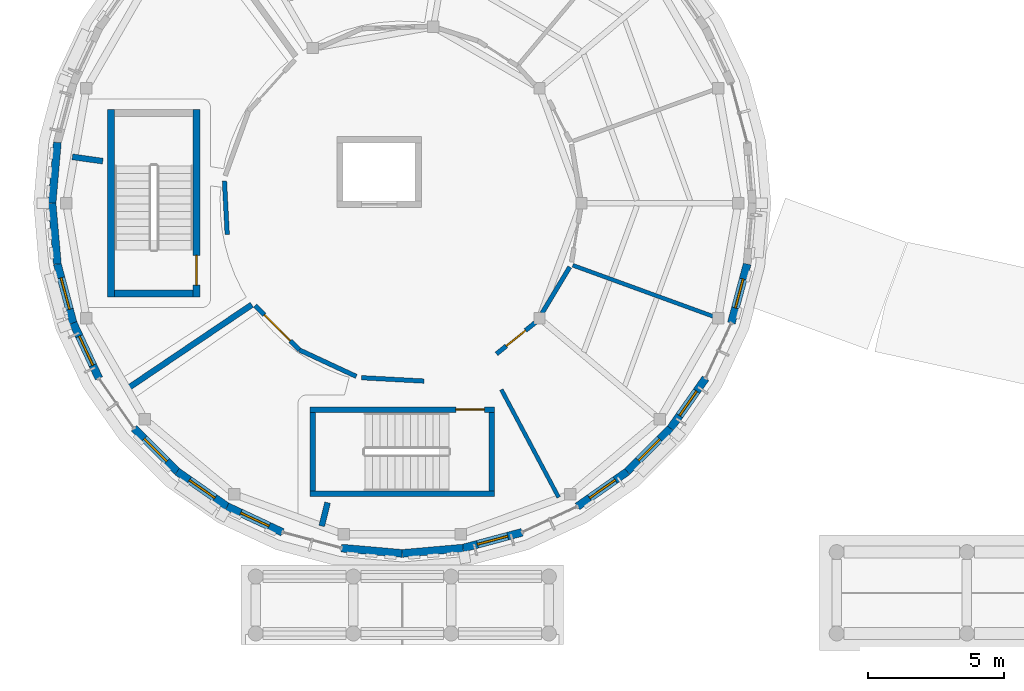
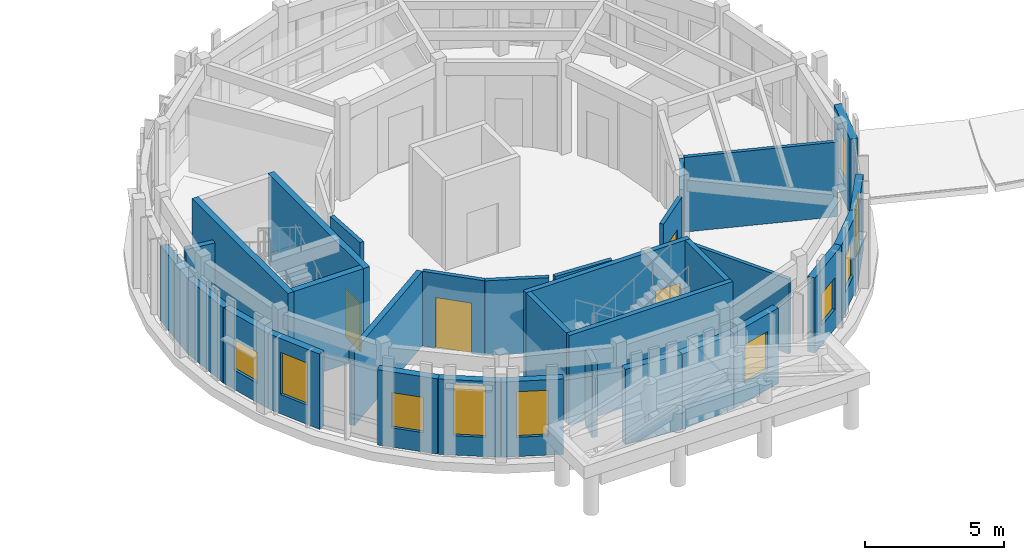
# One storey, part 43 of 80: 32 walls, 10 windows, 4 doors, 14 openings.
"""IFC4 building model written with IfcOpenShell, lengths in metres."""

from ifc_helpers import new_model, si_unit, direction, frame, frame_2d, origin, place, context, subcontext, project, spatial, rectangle, extrude, material, layer, layer_set, type_object, element, fill, save


model = new_model("IFC4")

# Units and contexts
model_context = context("Model", 3, precision=1e-05, world=origin(), true_north=direction((0.0, 1.0)))
body_context = subcontext(model_context, "Body", "Model", "MODEL_VIEW")
ifc_project = project(units=[si_unit("LENGTHUNIT", "METRE"), si_unit("AREAUNIT", "SQUARE_METRE"), si_unit("VOLUMEUNIT", "CUBIC_METRE"), si_unit("PLANEANGLEUNIT", "RADIAN"), si_unit("MASSUNIT", "GRAM", prefix="KILO")], contexts=[model_context])

# Site, building, storey
site_placement = place(None, origin())
site = spatial("IfcSite", under=ifc_project, at=site_placement, CompositionType="ELEMENT")
building_placement = place(site_placement, origin())
building = spatial("IfcBuilding", under=site, at=building_placement, Name="Aldenvaro Health Centre", CompositionType="ELEMENT")
storey_placement = place(building_placement, frame((0.0, 0.0, 4.550048828125)))
storey = spatial("IfcBuildingStorey", under=building, at=storey_placement, Name="L01", CompositionType="ELEMENT", Elevation=4.550048828125)

# Walls
ifc_material_1 = material(Name="Gypsum Stud Acoustic Assembly")
ifc_layer_1 = layer(ifc_material_1, 0.14501953125, Name="Gypsum Stud Acoustic Assembly")
ifc_layer_set_1 = layer_set([ifc_layer_1], Name="Gypsum Stud Acoustic Assembly")
wall_type_1 = type_object("IfcWallType", Name="WL-CLN-145", PredefinedType="PARTITIONING", material=ifc_layer_set_1)
wall_1_placement = place(storey_placement, frame((22.14990234375, 11.635009765625, 0.0), z_axis=(0.0, 0.0, 1.0), x_axis=(0.469519274504, -0.882922222435, 0.0)))
element("IfcWall", 1, at=wall_1_placement, inside=storey, type_object=wall_type_1, Name="D5 L01 clinical partition 6.1", PredefinedType="PARTITIONING", context=body_context, shape_type="SweptSolid", body=[
    extrude(rectangle(XDim=4.494140625, YDim=0.14501953125, at=frame_2d((2.2470703125, 0.0))), origin(), (0.0, 0.0, 1.0), 3.283935546875),
])
wall_2_placement = place(storey_placement, frame((24.780029296875, 16.214111328125, 0.0), z_axis=(0.0, 0.0, 1.0), x_axis=(0.939718505705, -0.341949016719, 0.0)))
element("IfcWall", 2, at=wall_2_placement, inside=storey, type_object=wall_type_1, Name="D5 L01 clinical partition 7.1", PredefinedType="PARTITIONING", context=body_context, shape_type="SweptSolid", body=[
    extrude(rectangle(XDim=5.615478515625, YDim=0.14501953125, at=frame_2d((2.8076171875, 0.0))), origin(), (0.0, 0.0, 1.0), 3.283935546875),
])
ifc_layer_2 = layer(ifc_material_1, 0.1650390625, Name="Gypsum Stud Acoustic Assembly")
ifc_layer_set_2 = layer_set([ifc_layer_2], Name="Gypsum Stud Acoustic Assembly")
wall_type_2 = type_object("IfcWallType", Name="WL-COR-165", PredefinedType="PARTITIONING", material=ifc_layer_set_2)
wall_3_placement = place(storey_placement, frame((11.950927734375, 19.321044921875, 0.0), z_axis=(0.0, 0.0, 1.0), x_axis=(0.051214751973, -0.998687663477, 0.0)))
element("IfcWall", 3, at=wall_3_placement, inside=storey, type_object=wall_type_2, Name="D5 L01 corridor wall 03.1", PredefinedType="PARTITIONING", context=body_context, shape_type="SweptSolid", body=[
    extrude(rectangle(XDim=1.9736328125, YDim=0.1650390625, at=frame_2d((0.98681640625, 0.0))), origin(), (0.0, 0.0, 1.0), 3.283935546875),
])

# Wall, opening, door
wall_4_placement = place(storey_placement, frame((13.083984375, 14.72900390625, 0.0), z_axis=(0.0, 0.0, 1.0), x_axis=(0.70604855671, -0.708163424336, 0.0)))
wall_4 = element("IfcWall", 4, at=wall_4_placement, inside=storey, type_object=wall_type_2, Name="D5 L01 corridor wall 04.1", PredefinedType="PARTITIONING", context=body_context, shape_type="SweptSolid", body=[
    extrude(rectangle(XDim=2.308837890625, YDim=0.1650390625, at=frame_2d((1.154296875, 0.0))), origin(), (0.0, 0.0, 1.0), 3.283935546875),
])
opening_1_placement = place(wall_4_placement, frame((0.47998046875, 0.0, 0.0)))
opening_1 = element("IfcOpeningElement", 5, at=opening_1_placement, cuts=wall_4, Name="Opening XD-02", PredefinedType="OPENING", context=body_context, shape_type="SweptSolid", body=[
    extrude(rectangle(XDim=1.35009765625, YDim=2.219970703125, at=frame_2d((0.675048828125, 1.10986328125))), frame((0.0, 0.092529296875, 0.0), z_axis=(0.0, -1.0, 0.0), x_axis=(1.0, 0.0, 0.0)), (0.0, 0.0, 1.0), 0.18505859375),
])
ifc_material_2 = material(Name="RF-Shielded MRI Suite Door")
door_type_1 = type_object("IfcDoorType", Name="DR-IMG-135", OperationType="NOTDEFINED", PredefinedType="DOOR", material=ifc_material_2)
door_1_placement = place(opening_1_placement, origin())
door_1 = element("IfcDoor", 6, at=door_1_placement, inside=storey, type_object=door_type_1, Name="Diagnostic Ultrasound Room 02 Door", OperationType="SINGLE_SWING_LEFT", OverallHeight=2.219970703125, OverallWidth=1.35009765625, PredefinedType="DOOR", context=body_context, shape_type="SweptSolid", body=[
    extrude(rectangle(XDim=1.35009765625, YDim=2.219970703125, at=frame_2d((0.675048828125, 1.10986328125))), frame((0.0, 0.02490234375, 0.0), z_axis=(0.0, -1.0, 0.0), x_axis=(1.0, 0.0, 0.0)), (0.0, 0.0, 1.0), 0.050048828125),
])
fill(opening_1, door_1)

# Walls
for number, where, z_axis, x_axis, name in (
    (7, (14.714111328125, 13.093994140625, 0.0), (0.0, 0.0, 1.0), (0.906733333108, -0.421704473099, 0.0), "D5 L01 corridor wall 04.2"),
    (8, (16.998046875, 12.072998046875, 0.0), (0.0, 0.0, 1.0), (0.998556713681, -0.053707444209, 0.0), "D5 L01 corridor wall 05.1"),
):
    element("IfcWall", number, at=place(storey_placement, frame(where, z_axis=z_axis, x_axis=x_axis)), inside=storey, type_object=wall_type_2, Name=name, PredefinedType="PARTITIONING", context=body_context, shape_type="SweptSolid", body=[
        extrude(rectangle(XDim=2.309326171875, YDim=0.1650390625, at=frame_2d((1.15478515625, 0.0))), origin(), (0.0, 0.0, 1.0), 3.283935546875),
    ])

# Wall, opening, door
wall_5_placement = place(storey_placement, frame((21.969970703125, 12.949951171875, 0.0), z_axis=(0.0, 0.0, 1.0), x_axis=(0.778080714505, 0.62816431108, 0.0)))
wall_5 = element("IfcWall", 9, at=wall_5_placement, inside=storey, type_object=wall_type_2, Name="D5 L01 corridor wall 06.1", PredefinedType="PARTITIONING", context=body_context, shape_type="SweptSolid", body=[
    extrude(rectangle(XDim=1.841796875, YDim=0.1650390625, at=frame_2d((0.9208984375, 0.0))), origin(), (0.0, 0.0, 1.0), 3.283935546875),
])
opening_2_placement = place(wall_5_placement, frame((0.466064453125, 0.0, 0.0)))
opening_2 = element("IfcOpeningElement", 10, at=opening_2_placement, cuts=wall_5, Name="Opening D-15", PredefinedType="OPENING", context=body_context, shape_type="SweptSolid", body=[
    extrude(rectangle(XDim=0.909912109375, YDim=2.14990234375, at=frame_2d((0.455078125, 1.074951171875))), frame((0.0, 0.092529296875, 0.0), z_axis=(0.0, -1.0, 0.0), x_axis=(1.0, 0.0, 0.0)), (0.0, 0.0, 1.0), 0.18505859375),
])
ifc_material_3 = material(Name="Exam Suite Timber Door", Category="wood")
door_type_2 = type_object("IfcDoorType", Name="DR-CLN-15", OperationType="NOTDEFINED", PredefinedType="DOOR", material=ifc_material_3)
door_2_placement = place(opening_2_placement, origin())
door_2 = element("IfcDoor", 11, at=door_2_placement, inside=storey, type_object=door_type_2, Name="Breast Health Consulting Room Door", OperationType="SINGLE_SWING_RIGHT", OverallHeight=2.14990234375, OverallWidth=0.909912109375, PredefinedType="DOOR", context=body_context, shape_type="SweptSolid", body=[
    extrude(rectangle(XDim=0.909912109375, YDim=2.14990234375, at=frame_2d((0.455078125, 1.074951171875))), frame((0.0, 0.02490234375, 0.0), z_axis=(0.0, -1.0, 0.0), x_axis=(1.0, 0.0, 0.0)), (0.0, 0.0, 1.0), 0.050048828125),
])
fill(opening_2, door_2)

# Wall
wall_6_placement = place(storey_placement, frame((23.64990234375, 14.450927734375, 0.0), z_axis=(0.0, 0.0, 1.0), x_axis=(0.513788930693, 0.85791662456, 0.0)))
element("IfcWall", 12, at=wall_6_placement, inside=storey, type_object=wall_type_2, Name="D5 L01 corridor wall 06.2", PredefinedType="PARTITIONING", context=body_context, shape_type="SweptSolid", body=[
    extrude(rectangle(XDim=1.9814453125, YDim=0.1650390625, at=frame_2d((0.99072265625, 0.0))), origin(), (0.0, 0.0, 1.0), 3.283935546875),
])

# Wall, opening, window
ifc_material_4 = material(Name="Cross-laminated timber CLT E1", Category="wood")
ifc_layer_3 = layer(ifc_material_4, 0.2900390625, Name="Cross-laminated timber CLT E1", Category="wood")
ifc_layer_set_3 = layer_set([ifc_layer_3], Name="Cross-laminated timber CLT E1")
wall_type_3 = type_object("IfcWallType", Name="WL-EXT-290", PredefinedType="ELEMENTEDWALL", material=ifc_layer_set_3)
wall_7_placement = place(storey_placement, frame((31.2041015625, 16.260009765625, 0.0), z_axis=(0.0, 0.0, 1.0), x_axis=(-0.258824721145, -0.96592430538, 0.0)))
wall_7 = element("IfcWall", 13, at=wall_7_placement, inside=storey, type_object=wall_type_3, Name="D5 L01 exterior wall 02", PredefinedType="ELEMENTEDWALL", context=body_context, shape_type="SweptSolid", body=[
    extrude(rectangle(XDim=2.248779296875, YDim=0.2900390625, at=frame_2d((1.12451171875, 0.0))), origin(), (0.0, 0.0, 1.0), 3.308837890625),
])
opening_3_placement = place(wall_7_placement, frame((0.573974609375, 0.0, 0.85009765625)))
opening_3 = element("IfcOpeningElement", 14, at=opening_3_placement, cuts=wall_7, Name="Opening W-27", PredefinedType="OPENING", context=body_context, shape_type="SweptSolid", body=[
    extrude(rectangle(XDim=1.10009765625, YDim=1.85009765625, at=frame_2d((0.550048828125, 0.925048828125))), frame((0.0, 0.155029296875, 0.0), z_axis=(0.0, -1.0, 0.0), x_axis=(1.0, 0.0, 0.0)), (0.0, 0.0, 1.0), 0.31005859375),
])
ifc_material_5 = material(Name="Thermally Broken Aluminium Low-E Glass", Category="aluminium")
window_type_1 = type_object("IfcWindowType", Name="WN-EXT-27", PartitioningType="SINGLE_PANEL", PredefinedType="WINDOW", material=ifc_material_5)
window_1_placement = place(opening_3_placement, origin())
window_1 = element("IfcWindow", 15, at=window_1_placement, inside=storey, type_object=window_type_1, Name="D5 L01 clinical window 02", OverallHeight=1.85009765625, OverallWidth=1.10009765625, PartitioningType="SINGLE_PANEL", PredefinedType="WINDOW", context=body_context, shape_type="SweptSolid", body=[
    extrude(rectangle(XDim=1.10009765625, YDim=1.85009765625, at=frame_2d((0.550048828125, 0.925048828125))), frame((0.0, 0.030029296875, 0.0), z_axis=(0.0, -1.0, 0.0), x_axis=(1.0, 0.0, 0.0)), (0.0, 0.0, 1.0), 0.06005859375),
])
fill(opening_3, window_1)

wall_8_placement = place(storey_placement, frame((29.672119140625, 12.050048828125, 0.0), z_axis=(0.0, 0.0, 1.0), x_axis=(-0.573644482107, -0.819104393925, 0.0)))
wall_8 = element("IfcWall", 16, at=wall_8_placement, inside=storey, type_object=wall_type_3, Name="D5 L01 exterior wall 04", PredefinedType="ELEMENTEDWALL", context=body_context, shape_type="SweptSolid", body=[
    extrude(rectangle(XDim=2.248779296875, YDim=0.2900390625, at=frame_2d((1.12451171875, 0.0))), origin(), (0.0, 0.0, 1.0), 3.308837890625),
])
opening_4_placement = place(wall_8_placement, frame((0.573974609375, 0.0, 0.85009765625)))
opening_4 = element("IfcOpeningElement", 17, at=opening_4_placement, cuts=wall_8, Name="Opening W-28", PredefinedType="OPENING", context=body_context, shape_type="SweptSolid", body=[
    extrude(rectangle(XDim=1.10009765625, YDim=2.10009765625, at=frame_2d((0.550048828125, 1.050048828125))), frame((0.0, 0.155029296875, 0.0), z_axis=(0.0, -1.0, 0.0), x_axis=(1.0, 0.0, 0.0)), (0.0, 0.0, 1.0), 0.31005859375),
])
window_type_2 = type_object("IfcWindowType", Name="WN-EXT-28", PartitioningType="SINGLE_PANEL", PredefinedType="WINDOW", material=ifc_material_5)
window_2_placement = place(opening_4_placement, origin())
window_2 = element("IfcWindow", 18, at=window_2_placement, inside=storey, type_object=window_type_2, Name="D5 L01 clinical window 04", OverallHeight=2.10009765625, OverallWidth=1.10009765625, PartitioningType="SINGLE_PANEL", PredefinedType="WINDOW", context=body_context, shape_type="SweptSolid", body=[
    extrude(rectangle(XDim=1.10009765625, YDim=2.10009765625, at=frame_2d((0.550048828125, 1.050048828125))), frame((0.0, 0.030029296875, 0.0), z_axis=(0.0, -1.0, 0.0), x_axis=(1.0, 0.0, 0.0)), (0.0, 0.0, 1.0), 0.06005859375),
])
fill(opening_4, window_2)

wall_9_placement = place(storey_placement, frame((28.382080078125, 10.2080078125, 0.0), z_axis=(0.0, 0.0, 1.0), x_axis=(-0.707106781187, -0.707106781187, 0.0)))
wall_9 = element("IfcWall", 19, at=wall_9_placement, inside=storey, type_object=wall_type_3, Name="D5 L01 exterior wall 05", PredefinedType="ELEMENTEDWALL", context=body_context, shape_type="SweptSolid", body=[
    extrude(rectangle(XDim=2.248779296875, YDim=0.2900390625, at=frame_2d((1.12451171875, 0.0))), origin(), (0.0, 0.0, 1.0), 3.308837890625),
])
opening_5_placement = place(wall_9_placement, frame((0.56396484375, 0.0, 0.85009765625)))
opening_5 = element("IfcOpeningElement", 20, at=opening_5_placement, cuts=wall_9, Name="Opening W-29", PredefinedType="OPENING", context=body_context, shape_type="SweptSolid", body=[
    extrude(rectangle(XDim=1.1201171875, YDim=1.64990234375, at=frame_2d((0.56005859375, 0.824951171875))), frame((0.0, 0.155029296875, 0.0), z_axis=(0.0, -1.0, 0.0), x_axis=(1.0, 0.0, 0.0)), (0.0, 0.0, 1.0), 0.31005859375),
])
window_type_3 = type_object("IfcWindowType", Name="WN-EXT-29", PartitioningType="SINGLE_PANEL", PredefinedType="WINDOW", material=ifc_material_5)
window_3_placement = place(opening_5_placement, origin())
window_3 = element("IfcWindow", 21, at=window_3_placement, inside=storey, type_object=window_type_3, Name="D5 L01 clinical window 05", OverallHeight=1.64990234375, OverallWidth=1.1201171875, PartitioningType="SINGLE_PANEL", PredefinedType="WINDOW", context=body_context, shape_type="SweptSolid", body=[
    extrude(rectangle(XDim=1.1201171875, YDim=1.64990234375, at=frame_2d((0.56005859375, 0.824951171875))), frame((0.0, 0.030029296875, 0.0), z_axis=(0.0, -1.0, 0.0), x_axis=(1.0, 0.0, 0.0)), (0.0, 0.0, 1.0), 0.06005859375),
])
fill(opening_5, window_3)

wall_10_placement = place(storey_placement, frame((26.7919921875, 8.617919921875, 0.0), z_axis=(0.0, 0.0, 1.0), x_axis=(-0.819104393925, -0.573644482107, 0.0)))
wall_10 = element("IfcWall", 22, at=wall_10_placement, inside=storey, type_object=wall_type_3, Name="D5 L01 exterior wall 06", PredefinedType="ELEMENTEDWALL", context=body_context, shape_type="SweptSolid", body=[
    extrude(rectangle(XDim=2.248779296875, YDim=0.2900390625, at=frame_2d((1.12451171875, 0.0))), origin(), (0.0, 0.0, 1.0), 3.308837890625),
])
opening_6_placement = place(wall_10_placement, frame((0.549072265625, 0.0, 0.85009765625)))
opening_6 = element("IfcOpeningElement", 23, at=opening_6_placement, cuts=wall_10, Name="Opening W-30", PredefinedType="OPENING", context=body_context, shape_type="SweptSolid", body=[
    extrude(rectangle(XDim=1.14990234375, YDim=1.39990234375, at=frame_2d((0.574951171875, 0.699951171875))), frame((0.0, 0.155029296875, 0.0), z_axis=(0.0, -1.0, 0.0), x_axis=(1.0, 0.0, 0.0)), (0.0, 0.0, 1.0), 0.31005859375),
])
window_type_4 = type_object("IfcWindowType", Name="WN-EXT-30", PartitioningType="SINGLE_PANEL", PredefinedType="WINDOW", material=ifc_material_5)
window_4_placement = place(opening_6_placement, origin())
window_4 = element("IfcWindow", 24, at=window_4_placement, inside=storey, type_object=window_type_4, Name="D5 L01 clinical window 06", OverallHeight=1.39990234375, OverallWidth=1.14990234375, PartitioningType="SINGLE_PANEL", PredefinedType="WINDOW", context=body_context, shape_type="SweptSolid", body=[
    extrude(rectangle(XDim=1.14990234375, YDim=1.39990234375, at=frame_2d((0.574951171875, 0.699951171875))), frame((0.0, 0.030029296875, 0.0), z_axis=(0.0, -1.0, 0.0), x_axis=(1.0, 0.0, 0.0)), (0.0, 0.0, 1.0), 0.06005859375),
])
fill(opening_6, window_4)

wall_11_placement = place(storey_placement, frame((22.912109375, 6.3779296875, 0.0), z_axis=(0.0, 0.0, 1.0), x_axis=(-0.96592430538, -0.258824721145, 0.0)))
wall_11 = element("IfcWall", 25, at=wall_11_placement, inside=storey, type_object=wall_type_3, Name="D5 L01 exterior wall 08", PredefinedType="ELEMENTEDWALL", context=body_context, shape_type="SweptSolid", body=[
    extrude(rectangle(XDim=2.248779296875, YDim=0.2900390625, at=frame_2d((1.12451171875, 0.0))), origin(), (0.0, 0.0, 1.0), 3.308837890625),
])
opening_7_placement = place(wall_11_placement, frame((0.549072265625, 0.0, 0.85009765625)))
opening_7 = element("IfcOpeningElement", 26, at=opening_7_placement, cuts=wall_11, Name="Opening W-31", PredefinedType="OPENING", context=body_context, shape_type="SweptSolid", body=[
    extrude(rectangle(XDim=1.14990234375, YDim=1.699951171875, at=frame_2d((0.574951171875, 0.85009765625))), frame((0.0, 0.155029296875, 0.0), z_axis=(0.0, -1.0, 0.0), x_axis=(1.0, 0.0, 0.0)), (0.0, 0.0, 1.0), 0.31005859375),
])
window_type_5 = type_object("IfcWindowType", Name="WN-EXT-31", PartitioningType="SINGLE_PANEL", PredefinedType="WINDOW", material=ifc_material_5)
window_5_placement = place(opening_7_placement, origin())
window_5 = element("IfcWindow", 27, at=window_5_placement, inside=storey, type_object=window_type_5, Name="D5 L01 clinical window 08", OverallHeight=1.699951171875, OverallWidth=1.14990234375, PartitioningType="SINGLE_PANEL", PredefinedType="WINDOW", context=body_context, shape_type="SweptSolid", body=[
    extrude(rectangle(XDim=1.14990234375, YDim=1.699951171875, at=frame_2d((0.574951171875, 0.85009765625))), frame((0.0, 0.030029296875, 0.0), z_axis=(0.0, -1.0, 0.0), x_axis=(1.0, 0.0, 0.0)), (0.0, 0.0, 1.0), 0.06005859375),
])
fill(opening_7, window_5)

# Walls
for number, where, z_axis, x_axis, name in (
    (28, (20.739990234375, 5.7958984375, 0.0), (0.0, 0.0, 1.0), (-0.996201374201, -0.087079400775, 0.0), "D5 L01 exterior wall 09"),
    (29, (18.5, 5.60009765625, 0.0), (0.0, 0.0, 1.0), (-0.996201374201, 0.087079400775, 0.0), "D5 L01 exterior wall 10"),
):
    element("IfcWall", number, at=place(storey_placement, frame(where, z_axis=z_axis, x_axis=x_axis)), inside=storey, type_object=wall_type_3, Name=name, PredefinedType="ELEMENTEDWALL", context=body_context, shape_type="SweptSolid", body=[
        extrude(rectangle(XDim=2.24853515625, YDim=0.2900390625, at=frame_2d((1.124267578125, 0.0))), origin(), (0.0, 0.0, 1.0), 3.308837890625),
    ])

# Wall, opening, window
wall_12_placement = place(storey_placement, frame((14.087890625, 6.3779296875, 0.0), z_axis=(0.0, 0.0, 1.0), x_axis=(-0.906360600886, 0.422504983593, 0.0)))
wall_12 = element("IfcWall", 30, at=wall_12_placement, inside=storey, type_object=wall_type_3, Name="D5 L01 exterior wall 12", PredefinedType="ELEMENTEDWALL", context=body_context, shape_type="SweptSolid", body=[
    extrude(rectangle(XDim=2.248291015625, YDim=0.2900390625, at=frame_2d((1.1240234375, 0.0))), origin(), (0.0, 0.0, 1.0), 3.308837890625),
])
opening_8_placement = place(wall_12_placement, frame((0.549072265625, 0.0, 0.85009765625)))
opening_8 = element("IfcOpeningElement", 31, at=opening_8_placement, cuts=wall_12, Name="Opening W-32", PredefinedType="OPENING", context=body_context, shape_type="SweptSolid", body=[
    extrude(rectangle(XDim=1.14990234375, YDim=2.0, at=frame_2d((0.574951171875, 1.0))), frame((0.0, 0.155029296875, 0.0), z_axis=(0.0, -1.0, 0.0), x_axis=(1.0, 0.0, 0.0)), (0.0, 0.0, 1.0), 0.31005859375),
])
window_type_6 = type_object("IfcWindowType", Name="WN-EXT-32", PartitioningType="SINGLE_PANEL", PredefinedType="WINDOW", material=ifc_material_5)
window_6_placement = place(opening_8_placement, origin())
window_6 = element("IfcWindow", 32, at=window_6_placement, inside=storey, type_object=window_type_6, Name="D5 L01 clinical window 12", OverallHeight=2.0, OverallWidth=1.14990234375, PartitioningType="SINGLE_PANEL", PredefinedType="WINDOW", context=body_context, shape_type="SweptSolid", body=[
    extrude(rectangle(XDim=1.14990234375, YDim=2.0, at=frame_2d((0.574951171875, 1.0))), frame((0.0, 0.030029296875, 0.0), z_axis=(0.0, -1.0, 0.0), x_axis=(1.0, 0.0, 0.0)), (0.0, 0.0, 1.0), 0.06005859375),
])
fill(opening_8, window_6)

wall_13_placement = place(storey_placement, frame((12.050048828125, 7.327880859375, 0.0), z_axis=(0.0, 0.0, 1.0), x_axis=(-0.819104393925, 0.573644482107, 0.0)))
wall_13 = element("IfcWall", 33, at=wall_13_placement, inside=storey, type_object=wall_type_3, Name="D5 L01 exterior wall 13", PredefinedType="ELEMENTEDWALL", context=body_context, shape_type="SweptSolid", body=[
    extrude(rectangle(XDim=2.248779296875, YDim=0.2900390625, at=frame_2d((1.12451171875, 0.0))), origin(), (0.0, 0.0, 1.0), 3.308837890625),
])
opening_9_placement = place(wall_13_placement, frame((0.549072265625, 0.0, 0.85009765625)))
opening_9 = element("IfcOpeningElement", 34, at=opening_9_placement, cuts=wall_13, Name="Opening W-33", PredefinedType="OPENING", context=body_context, shape_type="SweptSolid", body=[
    extrude(rectangle(XDim=1.14990234375, YDim=2.25, at=frame_2d((0.574951171875, 1.125))), frame((0.0, 0.155029296875, 0.0), z_axis=(0.0, -1.0, 0.0), x_axis=(1.0, 0.0, 0.0)), (0.0, 0.0, 1.0), 0.31005859375),
])
window_type_7 = type_object("IfcWindowType", Name="WN-EXT-33", PartitioningType="SINGLE_PANEL", PredefinedType="WINDOW", material=ifc_material_5)
window_7_placement = place(opening_9_placement, origin())
window_7 = element("IfcWindow", 35, at=window_7_placement, inside=storey, type_object=window_type_7, Name="D5 L01 clinical window 13", OverallHeight=2.25, OverallWidth=1.14990234375, PartitioningType="SINGLE_PANEL", PredefinedType="WINDOW", context=body_context, shape_type="SweptSolid", body=[
    extrude(rectangle(XDim=1.14990234375, YDim=2.25, at=frame_2d((0.574951171875, 1.125))), frame((0.0, 0.030029296875, 0.0), z_axis=(0.0, -1.0, 0.0), x_axis=(1.0, 0.0, 0.0)), (0.0, 0.0, 1.0), 0.06005859375),
])
fill(opening_9, window_7)

wall_14_placement = place(storey_placement, frame((10.2080078125, 8.617919921875, 0.0), z_axis=(0.0, 0.0, 1.0), x_axis=(-0.707106781187, 0.707106781187, 0.0)))
wall_14 = element("IfcWall", 36, at=wall_14_placement, inside=storey, type_object=wall_type_3, Name="D5 L01 exterior wall 14", PredefinedType="ELEMENTEDWALL", context=body_context, shape_type="SweptSolid", body=[
    extrude(rectangle(XDim=2.248779296875, YDim=0.2900390625, at=frame_2d((1.12451171875, 0.0))), origin(), (0.0, 0.0, 1.0), 3.308837890625),
])
opening_10_placement = place(wall_14_placement, frame((0.533935546875, 0.0, 0.85009765625)))
opening_10 = element("IfcOpeningElement", 37, at=opening_10_placement, cuts=wall_14, Name="Opening W-34", PredefinedType="OPENING", context=body_context, shape_type="SweptSolid", body=[
    extrude(rectangle(XDim=1.179931640625, YDim=1.550048828125, at=frame_2d((0.58984375, 0.77490234375))), frame((0.0, 0.155029296875, 0.0), z_axis=(0.0, -1.0, 0.0), x_axis=(1.0, 0.0, 0.0)), (0.0, 0.0, 1.0), 0.31005859375),
])
window_type_8 = type_object("IfcWindowType", Name="WN-EXT-34", PartitioningType="SINGLE_PANEL", PredefinedType="WINDOW", material=ifc_material_5)
window_8_placement = place(opening_10_placement, origin())
window_8 = element("IfcWindow", 38, at=window_8_placement, inside=storey, type_object=window_type_8, Name="D5 L01 clinical window 14", OverallHeight=1.550048828125, OverallWidth=1.179931640625, PartitioningType="SINGLE_PANEL", PredefinedType="WINDOW", context=body_context, shape_type="SweptSolid", body=[
    extrude(rectangle(XDim=1.179931640625, YDim=1.550048828125, at=frame_2d((0.58984375, 0.77490234375))), frame((0.0, 0.030029296875, 0.0), z_axis=(0.0, -1.0, 0.0), x_axis=(1.0, 0.0, 0.0)), (0.0, 0.0, 1.0), 0.06005859375),
])
fill(opening_10, window_8)

wall_15_placement = place(storey_placement, frame((7.327880859375, 12.050048828125, 0.0), z_axis=(0.0, 0.0, 1.0), x_axis=(-0.422504983593, 0.906360600886, 0.0)))
wall_15 = element("IfcWall", 39, at=wall_15_placement, inside=storey, type_object=wall_type_3, Name="D5 L01 exterior wall 16", PredefinedType="ELEMENTEDWALL", context=body_context, shape_type="SweptSolid", body=[
    extrude(rectangle(XDim=2.248291015625, YDim=0.2900390625, at=frame_2d((1.1240234375, 0.0))), origin(), (0.0, 0.0, 1.0), 3.308837890625),
])
opening_11_placement = place(wall_15_placement, frame((0.533935546875, 0.0, 0.85009765625)))
opening_11 = element("IfcOpeningElement", 40, at=opening_11_placement, cuts=wall_15, Name="Opening W-35", PredefinedType="OPENING", context=body_context, shape_type="SweptSolid", body=[
    extrude(rectangle(XDim=1.179931640625, YDim=1.85009765625, at=frame_2d((0.58984375, 0.925048828125))), frame((0.0, 0.155029296875, 0.0), z_axis=(0.0, -1.0, 0.0), x_axis=(1.0, 0.0, 0.0)), (0.0, 0.0, 1.0), 0.31005859375),
])
window_type_9 = type_object("IfcWindowType", Name="WN-EXT-35", PartitioningType="SINGLE_PANEL", PredefinedType="WINDOW", material=ifc_material_5)
window_9_placement = place(opening_11_placement, origin())
window_9 = element("IfcWindow", 41, at=window_9_placement, inside=storey, type_object=window_type_9, Name="D5 L01 clinical window 16", OverallHeight=1.85009765625, OverallWidth=1.179931640625, PartitioningType="SINGLE_PANEL", PredefinedType="WINDOW", context=body_context, shape_type="SweptSolid", body=[
    extrude(rectangle(XDim=1.179931640625, YDim=1.85009765625, at=frame_2d((0.58984375, 0.925048828125))), frame((0.0, 0.030029296875, 0.0), z_axis=(0.0, -1.0, 0.0), x_axis=(1.0, 0.0, 0.0)), (0.0, 0.0, 1.0), 0.06005859375),
])
fill(opening_11, window_9)

wall_16_placement = place(storey_placement, frame((6.3779296875, 14.087890625, 0.0), z_axis=(0.0, 0.0, 1.0), x_axis=(-0.258824721145, 0.96592430538, 0.0)))
wall_16 = element("IfcWall", 42, at=wall_16_placement, inside=storey, type_object=wall_type_3, Name="D5 L01 exterior wall 17", PredefinedType="ELEMENTEDWALL", context=body_context, shape_type="SweptSolid", body=[
    extrude(rectangle(XDim=2.248779296875, YDim=0.2900390625, at=frame_2d((1.12451171875, 0.0))), origin(), (0.0, 0.0, 1.0), 3.308837890625),
])
opening_12_placement = place(wall_16_placement, frame((0.52392578125, 0.0, 0.85009765625)))
opening_12 = element("IfcOpeningElement", 43, at=opening_12_placement, cuts=wall_16, Name="Opening W-36", PredefinedType="OPENING", context=body_context, shape_type="SweptSolid", body=[
    extrude(rectangle(XDim=1.199951171875, YDim=1.35009765625, at=frame_2d((0.60009765625, 0.675048828125))), frame((0.0, 0.155029296875, 0.0), z_axis=(0.0, -1.0, 0.0), x_axis=(1.0, 0.0, 0.0)), (0.0, 0.0, 1.0), 0.31005859375),
])
window_type_10 = type_object("IfcWindowType", Name="WN-EXT-36", PartitioningType="SINGLE_PANEL", PredefinedType="WINDOW", material=ifc_material_5)
window_10_placement = place(opening_12_placement, origin())
window_10 = element("IfcWindow", 44, at=window_10_placement, inside=storey, type_object=window_type_10, Name="D5 L01 clinical window 17", OverallHeight=1.35009765625, OverallWidth=1.199951171875, PartitioningType="SINGLE_PANEL", PredefinedType="WINDOW", context=body_context, shape_type="SweptSolid", body=[
    extrude(rectangle(XDim=1.199951171875, YDim=1.35009765625, at=frame_2d((0.60009765625, 0.675048828125))), frame((0.0, 0.030029296875, 0.0), z_axis=(0.0, -1.0, 0.0), x_axis=(1.0, 0.0, 0.0)), (0.0, 0.0, 1.0), 0.06005859375),
])
fill(opening_12, window_10)

# Walls
for number, where, z_axis, x_axis, name in (
    (45, (5.7958984375, 16.260009765625, 0.0), (0.0, 0.0, 1.0), (-0.087079400775, 0.996201374201, 0.0), "D5 L01 exterior wall 18"),
    (46, (5.60009765625, 18.5, 0.0), (0.0, 0.0, 1.0), (0.087079400775, 0.996201374201, 0.0), "D5 L01 exterior wall 19"),
):
    element("IfcWall", number, at=place(storey_placement, frame(where, z_axis=z_axis, x_axis=x_axis)), inside=storey, type_object=wall_type_3, Name=name, PredefinedType="ELEMENTEDWALL", context=body_context, shape_type="SweptSolid", body=[
        extrude(rectangle(XDim=2.24853515625, YDim=0.2900390625, at=frame_2d((1.124267578125, 0.0))), origin(), (0.0, 0.0, 1.0), 3.308837890625),
    ])
ifc_material_6 = material(Name="Concrete f'c 35 MPa", Category="concrete")
ifc_layer_4 = layer(ifc_material_6, 0.215087890625, Name="Concrete f'c 35 MPa", Category="concrete")
ifc_layer_set_4 = layer_set([ifc_layer_4], Name="Concrete f'c 35 MPa")
wall_type_4 = type_object("IfcWallType", Name="WL-IMG-215", PredefinedType="SOLIDWALL", material=ifc_layer_set_4)
wall_17_placement = place(storey_placement, frame((7.469970703125, 20.050048828125, 0.0), z_axis=(0.0, 0.0, 1.0), x_axis=(-0.990198351661, 0.139668265429, 0.0)))
element("IfcWall", 47, at=wall_17_placement, inside=storey, type_object=wall_type_4, Name="D5 L01 clinical partition 3.2", PredefinedType="SOLIDWALL", context=body_context, shape_type="SweptSolid", body=[
    extrude(rectangle(XDim=1.130859375, YDim=0.215087890625, at=frame_2d((0.5654296875, 0.0))), origin(), (0.0, 0.0, 1.0), 3.283935546875),
])
wall_18_placement = place(storey_placement, frame((12.9599609375, 14.762939453125, 0.0), z_axis=(0.0, 0.0, 1.0), x_axis=(-0.829078742877, -0.559131861111, 0.0)))
element("IfcWall", 48, at=wall_18_placement, inside=storey, type_object=wall_type_4, Name="D5 L01 clinical partition 4.1", PredefinedType="SOLIDWALL", context=body_context, shape_type="SweptSolid", body=[
    extrude(rectangle(XDim=5.571044921875, YDim=0.215087890625, at=frame_2d((2.78564453125, 0.0))), origin(), (0.0, 0.0, 1.0), 3.283935546875),
])
wall_19_placement = place(storey_placement, frame((15.75, 7.469970703125, 0.0), z_axis=(0.0, 0.0, 1.0), x_axis=(-0.241627935272, -0.970368971524, 0.0)))
element("IfcWall", 49, at=wall_19_placement, inside=storey, type_object=wall_type_4, Name="D5 L01 clinical partition 5.2", PredefinedType="SOLIDWALL", context=body_context, shape_type="SweptSolid", body=[
    extrude(rectangle(XDim=0.88623046875, YDim=0.215087890625, at=frame_2d((0.443115234375, 0.0))), origin(), (0.0, 0.0, 1.0), 3.283935546875),
])

# Wall, opening, door
ifc_material_7 = material(Name="Concrete f'c 40 MPa", Category="concrete")
ifc_layer_5 = layer(ifc_material_7, 0.199951171875, Name="Concrete f'c 40 MPa", Category="concrete")
ifc_layer_set_5 = layer_set([ifc_layer_5], Name="Concrete f'c 40 MPa")
wall_type_5 = type_object("IfcWallType", Name="WL-SHAFT-200", PredefinedType="SHEAR", material=ifc_layer_set_5)
wall_20_placement = place(storey_placement, frame((21.89990234375, 10.89990234375, 0.0), z_axis=(0.0, 0.0, 1.0), x_axis=(-1.0, 0.0, 0.0)))
wall_20 = element("IfcWall", 50, at=wall_20_placement, inside=storey, type_object=wall_type_5, Name="ST-10 L01 inner core wall", PredefinedType="SHEAR", context=body_context, shape_type="SweptSolid", body=[
    extrude(rectangle(XDim=6.7998046875, YDim=0.199951171875, at=frame_2d((3.39990234375, 0.0))), origin(), (0.0, 0.0, 1.0), 3.954833984375),
])
opening_13_placement = place(wall_20_placement, frame((0.3798828125, 0.0, 0.0)))
opening_13 = element("IfcOpeningElement", 51, at=opening_13_placement, cuts=wall_20, Name="Opening FD-02", PredefinedType="OPENING", context=body_context, shape_type="SweptSolid", body=[
    extrude(rectangle(XDim=1.050048828125, YDim=2.14990234375, at=frame_2d((0.52490234375, 1.074951171875))), frame((0.0, 0.10986328125, 0.0), z_axis=(0.0, -1.0, 0.0), x_axis=(1.0, 0.0, 0.0)), (0.0, 0.0, 1.0), 0.219970703125),
])
ifc_material_8 = material(Name="Fire-Rated Steel Door Assembly", Category="steel")
door_type_3 = type_object("IfcDoorType", Name="DR-STAIR-105", OperationType="NOTDEFINED", PredefinedType="DOOR", material=ifc_material_8)
door_3_placement = place(opening_13_placement, origin())
door_3 = element("IfcDoor", 52, at=door_3_placement, inside=storey, type_object=door_type_3, Name="ST-10 L01 fire stair door", OperationType="SINGLE_SWING_LEFT", OverallHeight=2.14990234375, OverallWidth=1.050048828125, PredefinedType="DOOR", context=body_context, shape_type="SweptSolid", body=[
    extrude(rectangle(XDim=1.050048828125, YDim=2.14990234375, at=frame_2d((0.52490234375, 1.074951171875))), frame((0.0, 0.02490234375, 0.0), z_axis=(0.0, -1.0, 0.0), x_axis=(1.0, 0.0, 0.0)), (0.0, 0.0, 1.0), 0.050048828125),
])
fill(opening_13, door_3)

# Walls
wall_21_placement = place(storey_placement, frame((21.89990234375, 7.800048828125, 0.0), z_axis=(0.0, 0.0, 1.0), x_axis=(-1.0, 0.0, 0.0)))
element("IfcWall", 53, at=wall_21_placement, inside=storey, type_object=wall_type_5, Name="ST-10 L01 far core wall", PredefinedType="SHEAR", context=body_context, shape_type="SweptSolid", body=[
    extrude(rectangle(XDim=6.7998046875, YDim=0.199951171875, at=frame_2d((3.39990234375, 0.0))), origin(), (0.0, 0.0, 1.0), 3.954833984375),
])
for number, where, z_axis, x_axis, name in (
    (54, (21.800048828125, 10.800048828125, 0.0), (0.0, 0.0, 1.0), (0.0, -1.0, 0.0), "ST-10 L01 side core wall L"),
    (55, (15.199951171875, 10.800048828125, 0.0), (0.0, 0.0, 1.0), (0.0, -1.0, 0.0), "ST-10 L01 side core wall R"),
):
    element("IfcWall", number, at=place(storey_placement, frame(where, z_axis=z_axis, x_axis=x_axis)), inside=storey, type_object=wall_type_5, Name=name, PredefinedType="SHEAR", context=body_context, shape_type="SweptSolid", body=[
        extrude(rectangle(XDim=2.900146484375, YDim=0.199951171875, at=frame_2d((1.4501953125, 0.0))), origin(), (0.0, 0.0, 1.0), 3.954833984375),
    ])

# Wall, opening, door
ifc_layer_6 = layer(ifc_material_7, 0.25, Name="Concrete f'c 40 MPa", Category="concrete")
ifc_layer_set_6 = layer_set([ifc_layer_6], Name="Concrete f'c 40 MPa")
wall_type_6 = type_object("IfcWallType", Name="WL-SHAFT-250", PredefinedType="SHEAR", material=ifc_layer_set_6)
wall_22_placement = place(storey_placement, frame((10.925048828125, 15.050048828125, 0.0), z_axis=(0.0, 0.0, 1.0), x_axis=(0.0, 1.0, 0.0)))
wall_22 = element("IfcWall", 56, at=wall_22_placement, inside=storey, type_object=wall_type_6, Name="ST-09 L01 inner core wall", PredefinedType="SHEAR", context=body_context, shape_type="SweptSolid", body=[
    extrude(rectangle(XDim=6.89990234375, YDim=0.25, at=frame_2d((3.449951171875, 0.0))), origin(), (0.0, 0.0, 1.0), 3.954833984375),
])
opening_14_placement = place(wall_22_placement, frame((0.429931640625, 0.0, 0.0)))
opening_14 = element("IfcOpeningElement", 57, at=opening_14_placement, cuts=wall_22, Name="Opening FD-01", PredefinedType="OPENING", context=body_context, shape_type="SweptSolid", body=[
    extrude(rectangle(XDim=1.10009765625, YDim=2.14990234375, at=frame_2d((0.550048828125, 1.074951171875))), frame((0.0, 0.135009765625, 0.0), z_axis=(0.0, -1.0, 0.0), x_axis=(1.0, 0.0, 0.0)), (0.0, 0.0, 1.0), 0.27001953125),
])
door_type_4 = type_object("IfcDoorType", Name="DR-STAIR-110", OperationType="NOTDEFINED", PredefinedType="DOOR", material=ifc_material_8)
door_4_placement = place(opening_14_placement, origin())
door_4 = element("IfcDoor", 58, at=door_4_placement, inside=storey, type_object=door_type_4, Name="ST-09 L01 fire stair door", OperationType="SINGLE_SWING_LEFT", OverallHeight=2.14990234375, OverallWidth=1.10009765625, PredefinedType="DOOR", context=body_context, shape_type="SweptSolid", body=[
    extrude(rectangle(XDim=1.10009765625, YDim=2.14990234375, at=frame_2d((0.550048828125, 1.074951171875))), frame((0.0, 0.02490234375, 0.0), z_axis=(0.0, -1.0, 0.0), x_axis=(1.0, 0.0, 0.0)), (0.0, 0.0, 1.0), 0.050048828125),
])
fill(opening_14, door_4)

# Walls
wall_23_placement = place(storey_placement, frame((7.77490234375, 15.050048828125, 0.0), z_axis=(0.0, 0.0, 1.0), x_axis=(0.0, 1.0, 0.0)))
element("IfcWall", 59, at=wall_23_placement, inside=storey, type_object=wall_type_6, Name="ST-09 L01 far core wall", PredefinedType="SHEAR", context=body_context, shape_type="SweptSolid", body=[
    extrude(rectangle(XDim=6.89990234375, YDim=0.25, at=frame_2d((3.449951171875, 0.0))), origin(), (0.0, 0.0, 1.0), 3.954833984375),
])
wall_24_placement = place(storey_placement, frame((10.800048828125, 15.175048828125, 0.0), z_axis=(0.0, 0.0, 1.0), x_axis=(-1.0, 0.0, 0.0)))
element("IfcWall", 60, at=wall_24_placement, inside=storey, type_object=wall_type_6, Name="ST-09 L01 side core wall L", PredefinedType="SHEAR", context=body_context, shape_type="SweptSolid", body=[
    extrude(rectangle(XDim=2.900146484375, YDim=0.25, at=frame_2d((1.4501953125, 0.0))), origin(), (0.0, 0.0, 1.0), 3.954833984375),
])

save(model, "model.ifc")
